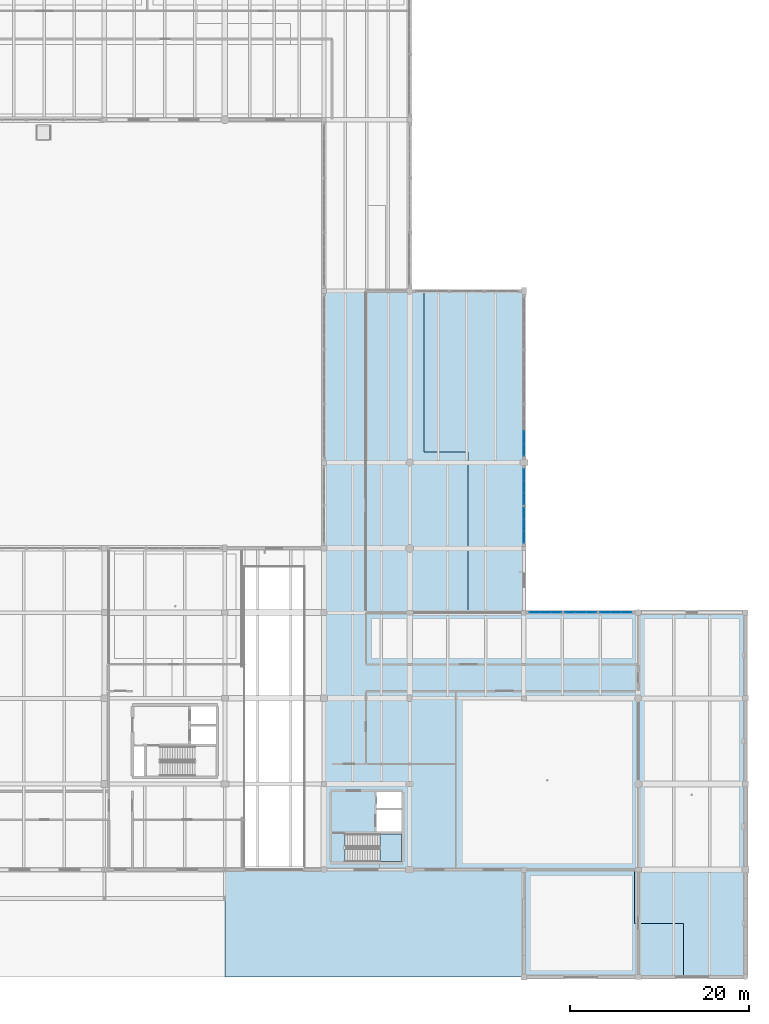
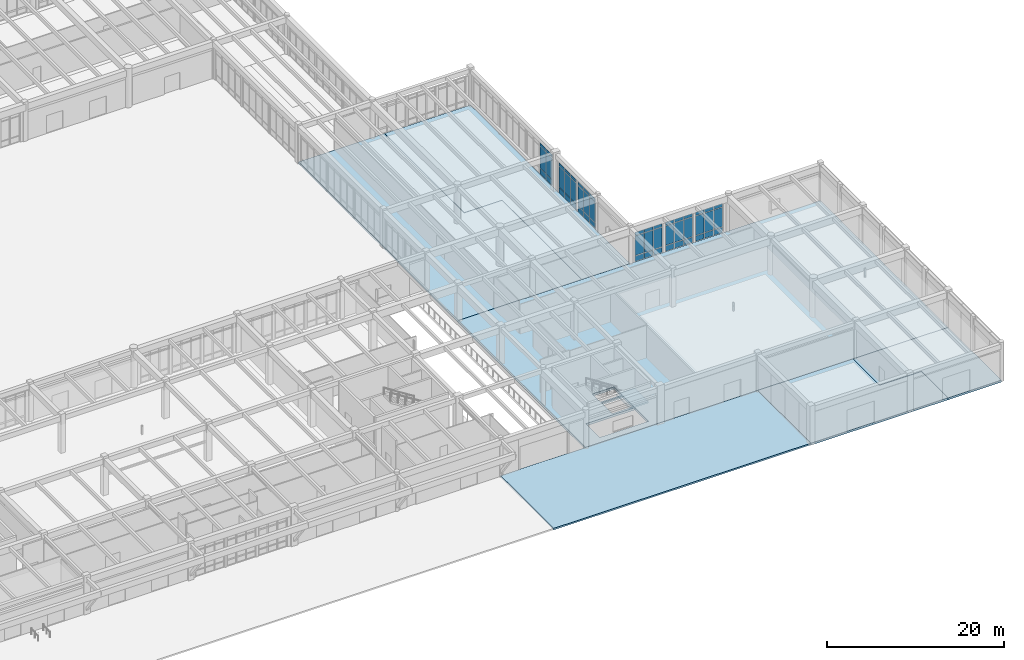
# One storey, part 99 of 138: 51 plates, 7 slabs, 7 elements without a shape of their own.
"""IFC4 building model written with IfcOpenShell, lengths in metres."""

from ifc_helpers import new_model, si_unit, direction, frame, origin, origin_2d, place, context, subcontext, project, spatial, polyline, rectangle, outline, extrude, material, layer, layer_set, type_object, element, aggregate, save


model = new_model("IFC4")

# Units and contexts
model_context = context("Model", 3, precision=1e-05, world=origin(), true_north=direction((0.0, 1.0)))
body_context = subcontext(model_context, "Body", "Model", "MODEL_VIEW")
ifc_project = project(units=[si_unit("LENGTHUNIT", "METRE"), si_unit("AREAUNIT", "SQUARE_METRE"), si_unit("VOLUMEUNIT", "CUBIC_METRE"), si_unit("PLANEANGLEUNIT", "RADIAN"), si_unit("MASSUNIT", "GRAM", prefix="KILO")], contexts=[model_context])

# Site, building, storey
site_placement = place(None, origin())
site = spatial("IfcSite", under=ifc_project, at=site_placement, CompositionType="ELEMENT")
building_placement = place(site_placement, origin())
building = spatial("IfcBuilding", under=site, at=building_placement, Name="Fikremerkos Civic Library", CompositionType="ELEMENT")
storey_placement = place(building_placement, origin())
storey = spatial("IfcBuildingStorey", under=building, at=storey_placement, Name="L00", CompositionType="ELEMENT", Elevation=0.0)

# Curtain wall, plates
ifc_material_1 = material(Name="Anodized aluminium Frame", Category="aluminium")
ifc_layer_1 = layer(ifc_material_1, 0.159912109375, Name="Anodized aluminium Frame")
ifc_layer_set_1 = layer_set([ifc_layer_1], Name="Anodized aluminium Frame")
curtain_wall_type_1 = type_object("IfcCurtainWallType", Name="Unitised curtain wall CW-13 3700x3200", PredefinedType="USERDEFINED", material=ifc_layer_set_1)
curtain_wall_1_placement = place(storey_placement, origin())
curtain_wall_1 = element("IfcCurtainWall", 1, at=curtain_wall_1_placement, inside=storey, type_object=curtain_wall_type_1, Name="Unitised curtain wall CW-13 L00 #67", ObjectType="UNITISED CURTAIN WALL", PredefinedType="USERDEFINED")
ifc_material_2 = material(Name="Solar control double glazing", Category="glass")
ifc_layer_2 = layer(ifc_material_2, 0.028076171875, Name="Solar control double glazing")
ifc_layer_set_2 = layer_set([ifc_layer_2], Name="Solar control double glazing")
plate_type_1 = type_object("IfcPlateType", Name="Curtain glazing panel CWP-01 28", PredefinedType="CURTAIN_PANEL", material=ifc_layer_set_2)
plate_1_placement = place(storey_placement, frame((147.199951171875, 60.442138671875, 0.06005859375), z_axis=(0.0, 0.0, 1.0), x_axis=(0.0, -1.0, 0.0)))
plate_1 = element("IfcPlate", 2, at=plate_1_placement, type_object=plate_type_1, Name="CW-13 panel 3.1", PredefinedType="CURTAIN_PANEL", context=body_context, shape_type="SweptSolid", body=[
    extrude(rectangle(XDim=1.364501953125, YDim=0.028076171875, at=origin_2d()), origin(), (0.0, 0.0, 1.0), 0.760009765625),
])
plate_2_placement = place(storey_placement, frame((147.199951171875, 60.442138671875, 0.880126953125), z_axis=(0.0, 0.0, 1.0), x_axis=(0.0, -1.0, 0.0)))
plate_2 = element("IfcPlate", 3, at=plate_2_placement, type_object=plate_type_1, Name="CW-13 panel 3.2", PredefinedType="CURTAIN_PANEL", context=body_context, shape_type="SweptSolid", body=[
    extrude(rectangle(XDim=1.364501953125, YDim=0.028076171875, at=origin_2d()), origin(), (0.0, 0.0, 1.0), 2.93994140625),
])
plate_3_placement = place(storey_placement, frame((147.199951171875, 60.442138671875, 3.880126953125), z_axis=(0.0, 0.0, 1.0), x_axis=(0.0, -1.0, 0.0)))
plate_3 = element("IfcPlate", 4, at=plate_3_placement, type_object=plate_type_1, Name="CW-13 panel 3.3", PredefinedType="CURTAIN_PANEL", context=body_context, shape_type="SweptSolid", body=[
    extrude(rectangle(XDim=1.364501953125, YDim=0.028076171875, at=origin_2d()), origin(), (0.0, 0.0, 1.0), 0.4599609375),
])
plate_4_placement = place(storey_placement, frame((147.199951171875, 59.029052734375, 0.06005859375), z_axis=(0.0, 0.0, 1.0), x_axis=(0.0, -1.0, 0.0)))
plate_4 = element("IfcPlate", 5, at=plate_4_placement, type_object=plate_type_1, Name="CW-13 panel 4.1", PredefinedType="CURTAIN_PANEL", context=body_context, shape_type="SweptSolid", body=[
    extrude(rectangle(XDim=1.33203125, YDim=0.028076171875, at=origin_2d()), origin(), (0.0, 0.0, 1.0), 0.760009765625),
])
plate_5_placement = place(storey_placement, frame((147.199951171875, 59.029052734375, 0.880126953125), z_axis=(0.0, 0.0, 1.0), x_axis=(0.0, -1.0, 0.0)))
plate_5 = element("IfcPlate", 6, at=plate_5_placement, type_object=plate_type_1, Name="CW-13 panel 4.2", PredefinedType="CURTAIN_PANEL", context=body_context, shape_type="SweptSolid", body=[
    extrude(rectangle(XDim=1.33203125, YDim=0.028076171875, at=origin_2d()), origin(), (0.0, 0.0, 1.0), 2.93994140625),
])
plate_6_placement = place(storey_placement, frame((147.199951171875, 59.029052734375, 3.880126953125), z_axis=(0.0, 0.0, 1.0), x_axis=(0.0, -1.0, 0.0)))
plate_6 = element("IfcPlate", 7, at=plate_6_placement, type_object=plate_type_1, Name="CW-13 panel 4.3", PredefinedType="CURTAIN_PANEL", context=body_context, shape_type="SweptSolid", body=[
    extrude(rectangle(XDim=1.33203125, YDim=0.028076171875, at=origin_2d()), origin(), (0.0, 0.0, 1.0), 0.4599609375),
])
aggregate(curtain_wall_1, [plate_1, plate_2, plate_3, plate_4, plate_5, plate_6])

ifc_layer_3 = layer(ifc_material_1, 0.159912109375, Name="Anodized aluminium Frame")
ifc_layer_set_3 = layer_set([ifc_layer_3], Name="Anodized aluminium Frame")
curtain_wall_type_2 = type_object("IfcCurtainWallType", Name="Unitised curtain wall CW-17 4600x3600", PredefinedType="USERDEFINED", material=ifc_layer_set_3)
curtain_wall_2_placement = place(storey_placement, origin())
curtain_wall_2 = element("IfcCurtainWall", 8, at=curtain_wall_2_placement, inside=storey, type_object=curtain_wall_type_2, Name="Unitised curtain wall CW-17 L00 #71", ObjectType="UNITISED CURTAIN WALL", PredefinedType="USERDEFINED")
plate_7_placement = place(storey_placement, frame((152.354736328125, 40.800048828125, 0.06982421875), z_axis=(0.0, 0.0, 1.0), x_axis=(1.0, 0.0, 0.0)))
plate_7 = element("IfcPlate", 9, at=plate_7_placement, type_object=plate_type_1, Name="CW-17 panel 1.1", PredefinedType="CURTAIN_PANEL", context=body_context, shape_type="SweptSolid", body=[
    extrude(rectangle(XDim=1.114013671875, YDim=0.028076171875, at=origin_2d()), origin(), (0.0, 0.0, 1.0), 0.7451171875),
])
plate_8_placement = place(storey_placement, frame((152.354736328125, 40.800048828125, 0.885009765625), z_axis=(0.0, 0.0, 1.0), x_axis=(1.0, 0.0, 0.0)))
plate_8 = element("IfcPlate", 10, at=plate_8_placement, type_object=plate_type_1, Name="CW-17 panel 1.2", PredefinedType="CURTAIN_PANEL", context=body_context, shape_type="SweptSolid", body=[
    extrude(rectangle(XDim=1.114013671875, YDim=0.028076171875, at=origin_2d()), origin(), (0.0, 0.0, 1.0), 2.669921875),
])
plate_9_placement = place(storey_placement, frame((152.354736328125, 40.800048828125, 3.625), z_axis=(0.0, 0.0, 1.0), x_axis=(1.0, 0.0, 0.0)))
plate_9 = element("IfcPlate", 11, at=plate_9_placement, type_object=plate_type_1, Name="CW-17 panel 1.3", PredefinedType="CURTAIN_PANEL", context=body_context, shape_type="SweptSolid", body=[
    extrude(rectangle(XDim=1.114013671875, YDim=0.028076171875, at=origin_2d()), origin(), (0.0, 0.0, 1.0), 0.445068359375),
])
plate_10_placement = place(storey_placement, frame((153.550048828125, 40.800048828125, 0.06982421875), z_axis=(0.0, 0.0, 1.0), x_axis=(1.0, 0.0, 0.0)))
plate_10 = element("IfcPlate", 12, at=plate_10_placement, type_object=plate_type_1, Name="CW-17 panel 2.1", PredefinedType="CURTAIN_PANEL", context=body_context, shape_type="SweptSolid", body=[
    extrude(rectangle(XDim=1.146484375, YDim=0.028076171875, at=origin_2d()), origin(), (0.0, 0.0, 1.0), 0.7451171875),
])
plate_11_placement = place(storey_placement, frame((153.550048828125, 40.800048828125, 0.885009765625), z_axis=(0.0, 0.0, 1.0), x_axis=(1.0, 0.0, 0.0)))
plate_11 = element("IfcPlate", 13, at=plate_11_placement, type_object=plate_type_1, Name="CW-17 panel 2.2", PredefinedType="CURTAIN_PANEL", context=body_context, shape_type="SweptSolid", body=[
    extrude(rectangle(XDim=1.146484375, YDim=0.028076171875, at=origin_2d()), origin(), (0.0, 0.0, 1.0), 2.669921875),
])
plate_12_placement = place(storey_placement, frame((153.550048828125, 40.800048828125, 3.625), z_axis=(0.0, 0.0, 1.0), x_axis=(1.0, 0.0, 0.0)))
plate_12 = element("IfcPlate", 14, at=plate_12_placement, type_object=plate_type_1, Name="CW-17 panel 2.3", PredefinedType="CURTAIN_PANEL", context=body_context, shape_type="SweptSolid", body=[
    extrude(rectangle(XDim=1.146484375, YDim=0.028076171875, at=origin_2d()), origin(), (0.0, 0.0, 1.0), 0.445068359375),
])
plate_13_placement = place(storey_placement, frame((154.745361328125, 40.800048828125, 0.06982421875), z_axis=(0.0, 0.0, 1.0), x_axis=(1.0, 0.0, 0.0)))
plate_13 = element("IfcPlate", 15, at=plate_13_placement, type_object=plate_type_1, Name="CW-17 panel 3.1", PredefinedType="CURTAIN_PANEL", context=body_context, shape_type="SweptSolid", body=[
    extrude(rectangle(XDim=1.114013671875, YDim=0.028076171875, at=origin_2d()), origin(), (0.0, 0.0, 1.0), 0.7451171875),
])
plate_14_placement = place(storey_placement, frame((154.745361328125, 40.800048828125, 0.885009765625), z_axis=(0.0, 0.0, 1.0), x_axis=(1.0, 0.0, 0.0)))
plate_14 = element("IfcPlate", 16, at=plate_14_placement, type_object=plate_type_1, Name="CW-17 panel 3.2", PredefinedType="CURTAIN_PANEL", context=body_context, shape_type="SweptSolid", body=[
    extrude(rectangle(XDim=1.114013671875, YDim=0.028076171875, at=origin_2d()), origin(), (0.0, 0.0, 1.0), 2.669921875),
])
plate_15_placement = place(storey_placement, frame((154.745361328125, 40.800048828125, 3.625), z_axis=(0.0, 0.0, 1.0), x_axis=(1.0, 0.0, 0.0)))
plate_15 = element("IfcPlate", 17, at=plate_15_placement, type_object=plate_type_1, Name="CW-17 panel 3.3", PredefinedType="CURTAIN_PANEL", context=body_context, shape_type="SweptSolid", body=[
    extrude(rectangle(XDim=1.114013671875, YDim=0.028076171875, at=origin_2d()), origin(), (0.0, 0.0, 1.0), 0.445068359375),
])
aggregate(curtain_wall_2, [plate_7, plate_8, plate_9, plate_10, plate_11, plate_12, plate_13, plate_14, plate_15])

ifc_layer_4 = layer(ifc_material_1, 0.159912109375, Name="Anodized aluminium Frame")
ifc_layer_set_4 = layer_set([ifc_layer_4], Name="Anodized aluminium Frame")
curtain_wall_type_3 = type_object("IfcCurtainWallType", Name="Unitised curtain wall CW-14 4100x3200", PredefinedType="USERDEFINED", material=ifc_layer_set_4)
curtain_wall_3_placement = place(storey_placement, origin())
curtain_wall_3 = element("IfcCurtainWall", 18, at=curtain_wall_3_placement, inside=storey, type_object=curtain_wall_type_3, Name="Unitised curtain wall CW-14 L00 #68", ObjectType="UNITISED CURTAIN WALL", PredefinedType="USERDEFINED")
ifc_layer_5 = layer(ifc_material_2, 0.035888671875, Name="Solar control double glazing")
ifc_layer_set_5 = layer_set([ifc_layer_5], Name="Solar control double glazing")
plate_type_2 = type_object("IfcPlateType", Name="Curtain glazing panel CWP-02 36", PredefinedType="CURTAIN_PANEL", material=ifc_layer_set_5)
plate_16_placement = place(storey_placement, frame((147.199951171875, 56.218017578125, 0.06005859375), z_axis=(0.0, 0.0, 1.0), x_axis=(0.0, -1.0, 0.0)))
plate_16 = element("IfcPlate", 19, at=plate_16_placement, type_object=plate_type_2, Name="CW-14 panel 1.1", PredefinedType="CURTAIN_PANEL", context=body_context, shape_type="SweptSolid", body=[
    extrude(rectangle(XDim=1.248046875, YDim=0.035888671875, at=origin_2d()), origin(), (0.0, 0.0, 1.0), 0.760009765625),
])
plate_17_placement = place(storey_placement, frame((147.199951171875, 56.218017578125, 0.8798828125), z_axis=(0.0, 0.0, 1.0), x_axis=(0.0, -1.0, 0.0)))
plate_17 = element("IfcPlate", 20, at=plate_17_placement, type_object=plate_type_2, Name="CW-14 panel 1.2", PredefinedType="CURTAIN_PANEL", context=body_context, shape_type="SweptSolid", body=[
    extrude(rectangle(XDim=1.248046875, YDim=0.035888671875, at=origin_2d()), origin(), (0.0, 0.0, 1.0), 2.7900390625),
])
plate_18_placement = place(storey_placement, frame((147.199951171875, 56.218017578125, 3.72998046875), z_axis=(0.0, 0.0, 1.0), x_axis=(0.0, -1.0, 0.0)))
plate_18 = element("IfcPlate", 21, at=plate_18_placement, type_object=plate_type_2, Name="CW-14 panel 1.3", PredefinedType="CURTAIN_PANEL", context=body_context, shape_type="SweptSolid", body=[
    extrude(rectangle(XDim=1.248046875, YDim=0.035888671875, at=origin_2d()), origin(), (0.0, 0.0, 1.0), 0.4599609375),
])
plate_19_placement = place(storey_placement, frame((147.199951171875, 54.894775390625, 0.06005859375), z_axis=(0.0, 0.0, 1.0), x_axis=(0.0, -1.0, 0.0)))
plate_19 = element("IfcPlate", 22, at=plate_19_placement, type_object=plate_type_2, Name="CW-14 panel 2.1", PredefinedType="CURTAIN_PANEL", context=body_context, shape_type="SweptSolid", body=[
    extrude(rectangle(XDim=1.278076171875, YDim=0.035888671875, at=origin_2d()), origin(), (0.0, 0.0, 1.0), 0.760009765625),
])
plate_20_placement = place(storey_placement, frame((147.199951171875, 54.894775390625, 0.8798828125), z_axis=(0.0, 0.0, 1.0), x_axis=(0.0, -1.0, 0.0)))
plate_20 = element("IfcPlate", 23, at=plate_20_placement, type_object=plate_type_2, Name="CW-14 panel 2.2", PredefinedType="CURTAIN_PANEL", context=body_context, shape_type="SweptSolid", body=[
    extrude(rectangle(XDim=1.278076171875, YDim=0.035888671875, at=origin_2d()), origin(), (0.0, 0.0, 1.0), 2.7900390625),
])
plate_21_placement = place(storey_placement, frame((147.199951171875, 54.894775390625, 3.72998046875), z_axis=(0.0, 0.0, 1.0), x_axis=(0.0, -1.0, 0.0)))
plate_21 = element("IfcPlate", 24, at=plate_21_placement, type_object=plate_type_2, Name="CW-14 panel 2.3", PredefinedType="CURTAIN_PANEL", context=body_context, shape_type="SweptSolid", body=[
    extrude(rectangle(XDim=1.278076171875, YDim=0.035888671875, at=origin_2d()), origin(), (0.0, 0.0, 1.0), 0.4599609375),
])
plate_22_placement = place(storey_placement, frame((147.199951171875, 53.571533203125, 0.06005859375), z_axis=(0.0, 0.0, 1.0), x_axis=(0.0, -1.0, 0.0)))
plate_22 = element("IfcPlate", 25, at=plate_22_placement, type_object=plate_type_2, Name="CW-14 panel 3.1", PredefinedType="CURTAIN_PANEL", context=body_context, shape_type="SweptSolid", body=[
    extrude(rectangle(XDim=1.248046875, YDim=0.035888671875, at=origin_2d()), origin(), (0.0, 0.0, 1.0), 0.760009765625),
])
plate_23_placement = place(storey_placement, frame((147.199951171875, 53.571533203125, 0.8798828125), z_axis=(0.0, 0.0, 1.0), x_axis=(0.0, -1.0, 0.0)))
plate_23 = element("IfcPlate", 26, at=plate_23_placement, type_object=plate_type_2, Name="CW-14 panel 3.2", PredefinedType="CURTAIN_PANEL", context=body_context, shape_type="SweptSolid", body=[
    extrude(rectangle(XDim=1.248046875, YDim=0.035888671875, at=origin_2d()), origin(), (0.0, 0.0, 1.0), 2.7900390625),
])
plate_24_placement = place(storey_placement, frame((147.199951171875, 53.571533203125, 3.72998046875), z_axis=(0.0, 0.0, 1.0), x_axis=(0.0, -1.0, 0.0)))
plate_24 = element("IfcPlate", 27, at=plate_24_placement, type_object=plate_type_2, Name="CW-14 panel 3.3", PredefinedType="CURTAIN_PANEL", context=body_context, shape_type="SweptSolid", body=[
    extrude(rectangle(XDim=1.248046875, YDim=0.035888671875, at=origin_2d()), origin(), (0.0, 0.0, 1.0), 0.4599609375),
])
aggregate(curtain_wall_3, [plate_16, plate_17, plate_18, plate_19, plate_20, plate_21, plate_22, plate_23, plate_24])

ifc_layer_6 = layer(ifc_material_1, 0.159912109375, Name="Anodized aluminium Frame")
ifc_layer_set_6 = layer_set([ifc_layer_6], Name="Anodized aluminium Frame")
curtain_wall_type_4 = type_object("IfcCurtainWallType", Name="Unitised curtain wall CW-18 2700x3400", PredefinedType="USERDEFINED", material=ifc_layer_set_6)
curtain_wall_4_placement = place(storey_placement, origin())
curtain_wall_4 = element("IfcCurtainWall", 28, at=curtain_wall_4_placement, inside=storey, type_object=curtain_wall_type_4, Name="Unitised curtain wall CW-18 L00 #72", ObjectType="UNITISED CURTAIN WALL", PredefinedType="USERDEFINED")
plate_25_placement = place(storey_placement, frame((156.2880859375, 40.800048828125, 0.06982421875), z_axis=(0.0, 0.0, 1.0), x_axis=(1.0, 0.0, 0.0)))
plate_25 = element("IfcPlate", 29, at=plate_25_placement, type_object=plate_type_2, Name="CW-18 panel 1.1", PredefinedType="CURTAIN_PANEL", context=body_context, shape_type="SweptSolid", body=[
    extrude(rectangle(XDim=1.12158203125, YDim=0.035888671875, at=origin_2d()), origin(), (0.0, 0.0, 1.0), 0.7451171875),
])
plate_26_placement = place(storey_placement, frame((156.2880859375, 40.800048828125, 0.885009765625), z_axis=(0.0, 0.0, 1.0), x_axis=(1.0, 0.0, 0.0)))
plate_26 = element("IfcPlate", 30, at=plate_26_placement, type_object=plate_type_2, Name="CW-18 panel 1.2", PredefinedType="CURTAIN_PANEL", context=body_context, shape_type="SweptSolid", body=[
    extrude(rectangle(XDim=1.12158203125, YDim=0.035888671875, at=origin_2d()), origin(), (0.0, 0.0, 1.0), 2.669921875),
])
plate_27_placement = place(storey_placement, frame((156.2880859375, 40.800048828125, 3.625), z_axis=(0.0, 0.0, 1.0), x_axis=(1.0, 0.0, 0.0)))
plate_27 = element("IfcPlate", 31, at=plate_27_placement, type_object=plate_type_2, Name="CW-18 panel 1.3", PredefinedType="CURTAIN_PANEL", context=body_context, shape_type="SweptSolid", body=[
    extrude(rectangle(XDim=1.12158203125, YDim=0.035888671875, at=origin_2d()), origin(), (0.0, 0.0, 1.0), 0.445068359375),
])
plate_28_placement = place(storey_placement, frame((157.484619140625, 40.800048828125, 0.06982421875), z_axis=(0.0, 0.0, 1.0), x_axis=(1.0, 0.0, 0.0)))
plate_28 = element("IfcPlate", 32, at=plate_28_placement, type_object=plate_type_2, Name="CW-18 panel 2.1", PredefinedType="CURTAIN_PANEL", context=body_context, shape_type="SweptSolid", body=[
    extrude(rectangle(XDim=1.151611328125, YDim=0.035888671875, at=origin_2d()), origin(), (0.0, 0.0, 1.0), 0.7451171875),
])
plate_29_placement = place(storey_placement, frame((157.484619140625, 40.800048828125, 0.885009765625), z_axis=(0.0, 0.0, 1.0), x_axis=(1.0, 0.0, 0.0)))
plate_29 = element("IfcPlate", 33, at=plate_29_placement, type_object=plate_type_2, Name="CW-18 panel 2.2", PredefinedType="CURTAIN_PANEL", context=body_context, shape_type="SweptSolid", body=[
    extrude(rectangle(XDim=1.151611328125, YDim=0.035888671875, at=origin_2d()), origin(), (0.0, 0.0, 1.0), 2.669921875),
])
plate_30_placement = place(storey_placement, frame((157.484619140625, 40.800048828125, 3.625), z_axis=(0.0, 0.0, 1.0), x_axis=(1.0, 0.0, 0.0)))
plate_30 = element("IfcPlate", 34, at=plate_30_placement, type_object=plate_type_2, Name="CW-18 panel 2.3", PredefinedType="CURTAIN_PANEL", context=body_context, shape_type="SweptSolid", body=[
    extrude(rectangle(XDim=1.151611328125, YDim=0.035888671875, at=origin_2d()), origin(), (0.0, 0.0, 1.0), 0.445068359375),
])
plate_31_placement = place(storey_placement, frame((158.68115234375, 40.800048828125, 0.06982421875), z_axis=(0.0, 0.0, 1.0), x_axis=(1.0, 0.0, 0.0)))
plate_31 = element("IfcPlate", 35, at=plate_31_placement, type_object=plate_type_2, Name="CW-18 panel 3.1", PredefinedType="CURTAIN_PANEL", context=body_context, shape_type="SweptSolid", body=[
    extrude(rectangle(XDim=1.12158203125, YDim=0.035888671875, at=origin_2d()), origin(), (0.0, 0.0, 1.0), 0.7451171875),
])
plate_32_placement = place(storey_placement, frame((158.68115234375, 40.800048828125, 0.885009765625), z_axis=(0.0, 0.0, 1.0), x_axis=(1.0, 0.0, 0.0)))
plate_32 = element("IfcPlate", 36, at=plate_32_placement, type_object=plate_type_2, Name="CW-18 panel 3.2", PredefinedType="CURTAIN_PANEL", context=body_context, shape_type="SweptSolid", body=[
    extrude(rectangle(XDim=1.12158203125, YDim=0.035888671875, at=origin_2d()), origin(), (0.0, 0.0, 1.0), 2.669921875),
])
plate_33_placement = place(storey_placement, frame((158.68115234375, 40.800048828125, 3.625), z_axis=(0.0, 0.0, 1.0), x_axis=(1.0, 0.0, 0.0)))
plate_33 = element("IfcPlate", 37, at=plate_33_placement, type_object=plate_type_2, Name="CW-18 panel 3.3", PredefinedType="CURTAIN_PANEL", context=body_context, shape_type="SweptSolid", body=[
    extrude(rectangle(XDim=1.12158203125, YDim=0.035888671875, at=origin_2d()), origin(), (0.0, 0.0, 1.0), 0.445068359375),
])
aggregate(curtain_wall_4, [plate_25, plate_26, plate_27, plate_28, plate_29, plate_30, plate_31, plate_32, plate_33])

ifc_layer_7 = layer(ifc_material_1, 0.159912109375, Name="Anodized aluminium Frame")
ifc_layer_set_7 = layer_set([ifc_layer_7], Name="Anodized aluminium Frame")
curtain_wall_type_5 = type_object("IfcCurtainWallType", Name="Unitised curtain wall CW-15 2900x3600", PredefinedType="USERDEFINED", material=ifc_layer_set_7)
curtain_wall_5_placement = place(storey_placement, origin())
curtain_wall_5 = element("IfcCurtainWall", 38, at=curtain_wall_5_placement, inside=storey, type_object=curtain_wall_type_5, Name="Unitised curtain wall CW-15 L00 #69", ObjectType="UNITISED CURTAIN WALL", PredefinedType="USERDEFINED")
ifc_material_3 = material(Name="Insulated aluminium spandrel", Category="aluminium")
ifc_layer_8 = layer(ifc_material_3, 0.044921875, Name="Insulated aluminium spandrel")
ifc_layer_set_8 = layer_set([ifc_layer_8], Name="Insulated aluminium spandrel")
plate_type_3 = type_object("IfcPlateType", Name="Curtain spandrel panel CSP-01 45", PredefinedType="CURTAIN_PANEL", material=ifc_layer_set_8)
plate_34_placement = place(storey_placement, frame((147.199951171875, 51.9033203125, 0.06982421875), z_axis=(0.0, 0.0, 1.0), x_axis=(0.0, -1.0, 0.0)))
plate_34 = element("IfcPlate", 39, at=plate_34_placement, type_object=plate_type_3, Name="CW-15 panel 1.1", PredefinedType="CURTAIN_PANEL", context=body_context, shape_type="SweptSolid", body=[
    extrude(rectangle(XDim=1.248046875, YDim=0.044921875, at=origin_2d()), origin(), (0.0, 0.0, 1.0), 0.7451171875),
])
plate_35_placement = place(storey_placement, frame((147.199951171875, 51.9033203125, 0.884765625), z_axis=(0.0, 0.0, 1.0), x_axis=(0.0, -1.0, 0.0)))
plate_35 = element("IfcPlate", 40, at=plate_35_placement, type_object=plate_type_3, Name="CW-15 panel 1.2", PredefinedType="CURTAIN_PANEL", context=body_context, shape_type="SweptSolid", body=[
    extrude(rectangle(XDim=1.248046875, YDim=0.044921875, at=origin_2d()), origin(), (0.0, 0.0, 1.0), 2.780029296875),
])
plate_36_placement = place(storey_placement, frame((147.199951171875, 51.9033203125, 3.73486328125), z_axis=(0.0, 0.0, 1.0), x_axis=(0.0, -1.0, 0.0)))
plate_36 = element("IfcPlate", 41, at=plate_36_placement, type_object=plate_type_3, Name="CW-15 panel 1.3", PredefinedType="CURTAIN_PANEL", context=body_context, shape_type="SweptSolid", body=[
    extrude(rectangle(XDim=1.248046875, YDim=0.044921875, at=origin_2d()), origin(), (0.0, 0.0, 1.0), 0.445068359375),
])
plate_37_placement = place(storey_placement, frame((147.199951171875, 50.580322265625, 0.06982421875), z_axis=(0.0, 0.0, 1.0), x_axis=(0.0, -1.0, 0.0)))
plate_37 = element("IfcPlate", 42, at=plate_37_placement, type_object=plate_type_3, Name="CW-15 panel 2.1", PredefinedType="CURTAIN_PANEL", context=body_context, shape_type="SweptSolid", body=[
    extrude(rectangle(XDim=1.278076171875, YDim=0.044921875, at=origin_2d()), origin(), (0.0, 0.0, 1.0), 0.7451171875),
])
plate_38_placement = place(storey_placement, frame((147.199951171875, 50.580322265625, 0.884765625), z_axis=(0.0, 0.0, 1.0), x_axis=(0.0, -1.0, 0.0)))
plate_38 = element("IfcPlate", 43, at=plate_38_placement, type_object=plate_type_3, Name="CW-15 panel 2.2", PredefinedType="CURTAIN_PANEL", context=body_context, shape_type="SweptSolid", body=[
    extrude(rectangle(XDim=1.278076171875, YDim=0.044921875, at=origin_2d()), origin(), (0.0, 0.0, 1.0), 2.780029296875),
])
plate_39_placement = place(storey_placement, frame((147.199951171875, 50.580322265625, 3.73486328125), z_axis=(0.0, 0.0, 1.0), x_axis=(0.0, -1.0, 0.0)))
plate_39 = element("IfcPlate", 44, at=plate_39_placement, type_object=plate_type_3, Name="CW-15 panel 2.3", PredefinedType="CURTAIN_PANEL", context=body_context, shape_type="SweptSolid", body=[
    extrude(rectangle(XDim=1.278076171875, YDim=0.044921875, at=origin_2d()), origin(), (0.0, 0.0, 1.0), 0.445068359375),
])
plate_40_placement = place(storey_placement, frame((147.199951171875, 49.257080078125, 0.06982421875), z_axis=(0.0, 0.0, 1.0), x_axis=(0.0, -1.0, 0.0)))
plate_40 = element("IfcPlate", 45, at=plate_40_placement, type_object=plate_type_3, Name="CW-15 panel 3.1", PredefinedType="CURTAIN_PANEL", context=body_context, shape_type="SweptSolid", body=[
    extrude(rectangle(XDim=1.248046875, YDim=0.044921875, at=origin_2d()), origin(), (0.0, 0.0, 1.0), 0.7451171875),
])
plate_41_placement = place(storey_placement, frame((147.199951171875, 49.257080078125, 0.884765625), z_axis=(0.0, 0.0, 1.0), x_axis=(0.0, -1.0, 0.0)))
plate_41 = element("IfcPlate", 46, at=plate_41_placement, type_object=plate_type_3, Name="CW-15 panel 3.2", PredefinedType="CURTAIN_PANEL", context=body_context, shape_type="SweptSolid", body=[
    extrude(rectangle(XDim=1.248046875, YDim=0.044921875, at=origin_2d()), origin(), (0.0, 0.0, 1.0), 2.780029296875),
])
plate_42_placement = place(storey_placement, frame((147.199951171875, 49.257080078125, 3.73486328125), z_axis=(0.0, 0.0, 1.0), x_axis=(0.0, -1.0, 0.0)))
plate_42 = element("IfcPlate", 47, at=plate_42_placement, type_object=plate_type_3, Name="CW-15 panel 3.3", PredefinedType="CURTAIN_PANEL", context=body_context, shape_type="SweptSolid", body=[
    extrude(rectangle(XDim=1.248046875, YDim=0.044921875, at=origin_2d()), origin(), (0.0, 0.0, 1.0), 0.445068359375),
])
aggregate(curtain_wall_5, [plate_34, plate_35, plate_36, plate_37, plate_38, plate_39, plate_40, plate_41, plate_42])

ifc_layer_9 = layer(ifc_material_1, 0.159912109375, Name="Anodized aluminium Frame")
ifc_layer_set_9 = layer_set([ifc_layer_9], Name="Anodized aluminium Frame")
curtain_wall_type_6 = type_object("IfcCurtainWallType", Name="Unitised curtain wall CW-16 3100x4100", PredefinedType="USERDEFINED", material=ifc_layer_set_9)
curtain_wall_6_placement = place(storey_placement, origin())
curtain_wall_6 = element("IfcCurtainWall", 48, at=curtain_wall_6_placement, inside=storey, type_object=curtain_wall_type_6, Name="Unitised curtain wall CW-16 L00 #70", ObjectType="UNITISED CURTAIN WALL", PredefinedType="USERDEFINED")
ifc_layer_10 = layer(ifc_material_3, 0.054931640625, Name="Insulated aluminium spandrel")
ifc_layer_set_10 = layer_set([ifc_layer_10], Name="Insulated aluminium spandrel")
plate_type_4 = type_object("IfcPlateType", Name="Curtain spandrel panel CSP-02 55", PredefinedType="CURTAIN_PANEL", material=ifc_layer_set_10)
plate_43_placement = place(storey_placement, frame((148.418701171875, 40.800048828125, 0.06982421875), z_axis=(0.0, 0.0, 1.0), x_axis=(1.0, 0.0, 0.0)))
plate_43 = element("IfcPlate", 49, at=plate_43_placement, type_object=plate_type_4, Name="CW-16 panel 1.1", PredefinedType="CURTAIN_PANEL", context=body_context, shape_type="SweptSolid", body=[
    extrude(rectangle(XDim=1.12158203125, YDim=0.054931640625, at=origin_2d()), origin(), (0.0, 0.0, 1.0), 0.7451171875),
])
plate_44_placement = place(storey_placement, frame((148.418701171875, 40.800048828125, 0.885009765625), z_axis=(0.0, 0.0, 1.0), x_axis=(1.0, 0.0, 0.0)))
plate_44 = element("IfcPlate", 50, at=plate_44_placement, type_object=plate_type_4, Name="CW-16 panel 1.2", PredefinedType="CURTAIN_PANEL", context=body_context, shape_type="SweptSolid", body=[
    extrude(rectangle(XDim=1.12158203125, YDim=0.054931640625, at=origin_2d()), origin(), (0.0, 0.0, 1.0), 2.669921875),
])
plate_45_placement = place(storey_placement, frame((148.418701171875, 40.800048828125, 3.625), z_axis=(0.0, 0.0, 1.0), x_axis=(1.0, 0.0, 0.0)))
plate_45 = element("IfcPlate", 51, at=plate_45_placement, type_object=plate_type_4, Name="CW-16 panel 1.3", PredefinedType="CURTAIN_PANEL", context=body_context, shape_type="SweptSolid", body=[
    extrude(rectangle(XDim=1.12158203125, YDim=0.054931640625, at=origin_2d()), origin(), (0.0, 0.0, 1.0), 0.445068359375),
])
plate_46_placement = place(storey_placement, frame((149.615234375, 40.800048828125, 0.06982421875), z_axis=(0.0, 0.0, 1.0), x_axis=(1.0, 0.0, 0.0)))
plate_46 = element("IfcPlate", 52, at=plate_46_placement, type_object=plate_type_4, Name="CW-16 panel 2.1", PredefinedType="CURTAIN_PANEL", context=body_context, shape_type="SweptSolid", body=[
    extrude(rectangle(XDim=1.151611328125, YDim=0.054931640625, at=origin_2d()), origin(), (0.0, 0.0, 1.0), 0.7451171875),
])
plate_47_placement = place(storey_placement, frame((149.615234375, 40.800048828125, 0.885009765625), z_axis=(0.0, 0.0, 1.0), x_axis=(1.0, 0.0, 0.0)))
plate_47 = element("IfcPlate", 53, at=plate_47_placement, type_object=plate_type_4, Name="CW-16 panel 2.2", PredefinedType="CURTAIN_PANEL", context=body_context, shape_type="SweptSolid", body=[
    extrude(rectangle(XDim=1.151611328125, YDim=0.054931640625, at=origin_2d()), origin(), (0.0, 0.0, 1.0), 2.669921875),
])
plate_48_placement = place(storey_placement, frame((149.615234375, 40.800048828125, 3.625), z_axis=(0.0, 0.0, 1.0), x_axis=(1.0, 0.0, 0.0)))
plate_48 = element("IfcPlate", 54, at=plate_48_placement, type_object=plate_type_4, Name="CW-16 panel 2.3", PredefinedType="CURTAIN_PANEL", context=body_context, shape_type="SweptSolid", body=[
    extrude(rectangle(XDim=1.151611328125, YDim=0.054931640625, at=origin_2d()), origin(), (0.0, 0.0, 1.0), 0.445068359375),
])
plate_49_placement = place(storey_placement, frame((150.81201171875, 40.800048828125, 0.06982421875), z_axis=(0.0, 0.0, 1.0), x_axis=(1.0, 0.0, 0.0)))
plate_49 = element("IfcPlate", 55, at=plate_49_placement, type_object=plate_type_4, Name="CW-16 panel 3.1", PredefinedType="CURTAIN_PANEL", context=body_context, shape_type="SweptSolid", body=[
    extrude(rectangle(XDim=1.12158203125, YDim=0.054931640625, at=origin_2d()), origin(), (0.0, 0.0, 1.0), 0.7451171875),
])
plate_50_placement = place(storey_placement, frame((150.81201171875, 40.800048828125, 0.885009765625), z_axis=(0.0, 0.0, 1.0), x_axis=(1.0, 0.0, 0.0)))
plate_50 = element("IfcPlate", 56, at=plate_50_placement, type_object=plate_type_4, Name="CW-16 panel 3.2", PredefinedType="CURTAIN_PANEL", context=body_context, shape_type="SweptSolid", body=[
    extrude(rectangle(XDim=1.12158203125, YDim=0.054931640625, at=origin_2d()), origin(), (0.0, 0.0, 1.0), 2.669921875),
])
plate_51_placement = place(storey_placement, frame((150.81201171875, 40.800048828125, 3.625), z_axis=(0.0, 0.0, 1.0), x_axis=(1.0, 0.0, 0.0)))
plate_51 = element("IfcPlate", 57, at=plate_51_placement, type_object=plate_type_4, Name="CW-16 panel 3.3", PredefinedType="CURTAIN_PANEL", context=body_context, shape_type="SweptSolid", body=[
    extrude(rectangle(XDim=1.12158203125, YDim=0.054931640625, at=origin_2d()), origin(), (0.0, 0.0, 1.0), 0.445068359375),
])
aggregate(curtain_wall_6, [plate_43, plate_44, plate_45, plate_46, plate_47, plate_48, plate_49, plate_50, plate_51])

# Slab
ifc_material_4 = material(Name="Concrete C35/45", Category="concrete")
ifc_layer_11 = layer(ifc_material_4, 0.219970703125, Name="Concrete C35/45")
ifc_layer_set_11 = layer_set([ifc_layer_11], Name="Concrete C35/45")
slab_type_1 = type_object("IfcSlabType", Name="External terrace slab ETS-02 220", PredefinedType="FLOOR", material=ifc_layer_set_11)
slab_1_placement = place(storey_placement, frame((0.0, 0.0, -0.219970703125)))
element("IfcSlab", 58, at=slab_1_placement, inside=storey, type_object=slab_type_1, Name="Courtyard paving slab ETS-02 L00-EXT-APRON", PredefinedType="FLOOR", context=body_context, shape_type="SweptSolid", body=[
    extrude(outline(polyline([(113.699951171875, 0.0), (147.199951171875, 0.0), (147.199951171875, 12.0), (113.699951171875, 12.0), (113.699951171875, 0.0)])), origin(), (0.0, 0.0, 1.0), 0.219970703125),
])

# Stair, slab
ifc_material_5 = material(Name="Concrete C40/50", Category="concrete")
stair_type = type_object("IfcStairType", Name="Half turn stair ST-HT-08 W1450 H5400", PredefinedType="HALF_TURN_STAIR", material=ifc_material_5)
stair_placement = place(storey_placement, origin())
stair = element("IfcStair", 59, at=stair_placement, inside=storey, type_object=stair_type, Name="L00 ST-K4", PredefinedType="HALF_TURN_STAIR")
ifc_layer_12 = layer(ifc_material_5, 0.199951171875, Name="Concrete C40/50")
ifc_layer_set_12 = layer_set([ifc_layer_12], Name="Concrete C40/50")
slab_type_2 = type_object("IfcSlabType", Name="Stair landing slab SLS-01 200", PredefinedType="LANDING", material=ifc_layer_set_12)
slab_2_placement = place(storey_placement, frame((0.0, 0.0, 2.5)))
slab_2 = element("IfcSlab", 60, at=slab_2_placement, type_object=slab_type_2, Name="ST-K4 landing 1", PredefinedType="LANDING", context=body_context, shape_type="SweptSolid", body=[
    extrude(outline(polyline([(131.070068359375, 12.89990234375), (133.5, 12.89990234375), (133.5, 16.0), (131.070068359375, 16.0), (131.070068359375, 12.89990234375)])), origin(), (0.0, 0.0, 1.0), 0.199951171875),
])
aggregate(stair, [slab_2])

# Slabs
ifc_layer_13 = layer(ifc_material_5, 0.320068359375, Name="Concrete C40/50")
ifc_layer_set_13 = layer_set([ifc_layer_13], Name="Concrete C40/50")
slab_type_3 = type_object("IfcSlabType", Name="Suspended floor slab SFS-02 320", PredefinedType="FLOOR", material=ifc_layer_set_13)
slab_3_placement = place(storey_placement, frame((0.0, 0.0, -0.320068359375)))
element("IfcSlab", 61, at=slab_3_placement, inside=storey, type_object=slab_type_3, Name="Floor slab SFS-02 SLB-L00-V3-M-1", PredefinedType="FLOOR", context=body_context, shape_type="SweptSolid", body=[
    extrude(outline(polyline([(124.800048828125, 12.0), (172.0, 12.0), (172.0, 40.800048828125), (124.800048828125, 40.800048828125), (124.800048828125, 12.0)]), holes=[polyline([(127.14990234375, 12.89990234375), (133.5, 12.89990234375), (133.5, 16.0), (127.14990234375, 16.0), (127.14990234375, 12.89990234375)]), polyline([(130.699951171875, 16.260009765625), (133.5, 16.260009765625), (133.5, 18.699951171875), (130.699951171875, 18.699951171875), (130.699951171875, 16.260009765625)]), polyline([(130.699951171875, 18.89990234375), (133.5, 18.89990234375), (133.5, 20.699951171875), (130.699951171875, 20.699951171875), (130.699951171875, 18.89990234375)])]), origin(), (0.0, 0.0, 1.0), 0.320068359375),
])
ifc_layer_14 = layer(ifc_material_5, 0.280029296875, Name="Concrete C40/50")
ifc_layer_set_14 = layer_set([ifc_layer_14], Name="Concrete C40/50")
slab_type_4 = type_object("IfcSlabType", Name="Suspended floor slab SFS-04 280", PredefinedType="FLOOR", material=ifc_layer_set_14)
slab_4_placement = place(storey_placement, frame((0.0, 0.0, -0.280029296875)))
element("IfcSlab", 62, at=slab_4_placement, inside=storey, type_object=slab_type_4, Name="Floor slab SFS-04 SLB-L00-V3-S-1L1", PredefinedType="FLOOR", context=body_context, shape_type="SweptSolid", body=[
    extrude(outline(polyline([(147.199951171875, 0.0), (165.052001953125, 0.0), (165.052001953125, 5.99609375), (159.595947265625, 5.99609375), (159.595947265625, 12.0), (147.199951171875, 12.0), (147.199951171875, 0.0)])), origin(), (0.0, 0.0, 1.0), 0.280029296875),
])
slab_5_placement = place(storey_placement, frame((0.0, 0.0, -0.280029296875)))
element("IfcSlab", 63, at=slab_5_placement, inside=storey, type_object=slab_type_4, Name="Floor slab SFS-04 SLB-L00-V3-S-1L2", PredefinedType="FLOOR", context=body_context, shape_type="SweptSolid", body=[
    extrude(outline(polyline([(165.06005859375, 0.0), (172.0, 0.0), (172.0, 12.0), (159.60400390625, 12.0), (159.60400390625, 6.00390625), (165.06005859375, 6.00390625), (165.06005859375, 0.0)])), origin(), (0.0, 0.0, 1.0), 0.280029296875),
])
slab_6_placement = place(storey_placement, frame((0.0, 0.0, -0.280029296875)))
element("IfcSlab", 64, at=slab_6_placement, inside=storey, type_object=slab_type_4, Name="Floor slab SFS-04 SLB-L00-V3-N-1L1", PredefinedType="FLOOR", context=body_context, shape_type="SweptSolid", body=[
    extrude(outline(polyline([(124.800048828125, 40.800048828125), (140.924072265625, 40.800048828125), (140.924072265625, 58.7958984375), (135.99609375, 58.7958984375), (135.99609375, 76.800048828125), (124.800048828125, 76.800048828125), (124.800048828125, 40.800048828125)])), origin(), (0.0, 0.0, 1.0), 0.280029296875),
])
slab_7_placement = place(storey_placement, frame((0.0, 0.0, -0.280029296875)))
element("IfcSlab", 65, at=slab_7_placement, inside=storey, type_object=slab_type_4, Name="Floor slab SFS-04 SLB-L00-V3-N-1L2", PredefinedType="FLOOR", context=body_context, shape_type="SweptSolid", body=[
    extrude(outline(polyline([(140.931884765625, 40.800048828125), (147.199951171875, 40.800048828125), (147.199951171875, 76.800048828125), (136.00390625, 76.800048828125), (136.00390625, 58.803955078125), (140.931884765625, 58.803955078125), (140.931884765625, 40.800048828125)])), origin(), (0.0, 0.0, 1.0), 0.280029296875),
])

save(model, "model.ifc")
